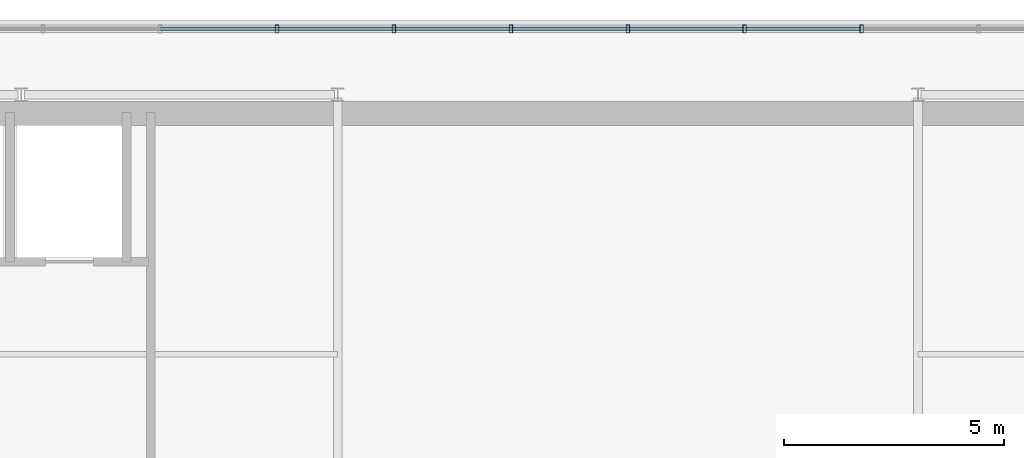
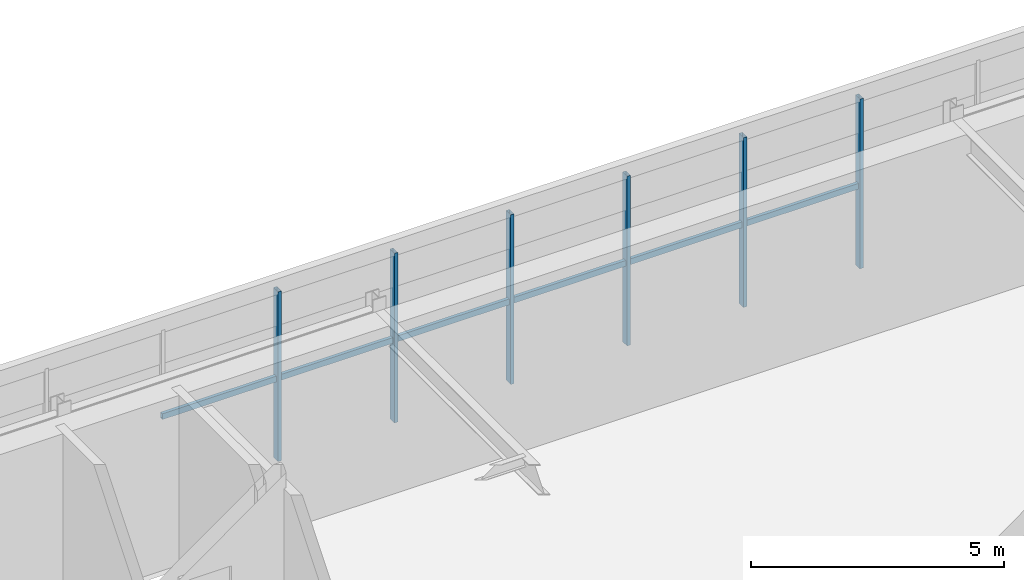
# One storey, part 24 of 37: 12 members, 1 element without a shape of its own.
"""IFC4 building model written with IfcOpenShell, lengths in metres."""

from ifc_helpers import new_model, si_unit, direction, frame, origin, origin_2d, place, context, subcontext, project, spatial, hollow_rectangle, extrude, source, transform, mapped, material, material_profile, profile_set, type_object, element, aggregate, save


model = new_model("IFC4")

# Units and contexts
model_context = context("Model", 3, precision=1e-05, world=origin(), true_north=direction((0.0, 1.0)))
body_context = subcontext(model_context, "Body", "Model", "MODEL_VIEW")
ifc_project = project(units=[si_unit("LENGTHUNIT", "METRE"), si_unit("AREAUNIT", "SQUARE_METRE"), si_unit("VOLUMEUNIT", "CUBIC_METRE"), si_unit("PLANEANGLEUNIT", "RADIAN"), si_unit("MASSUNIT", "GRAM", prefix="KILO")], contexts=[model_context])

# Site, building, storey
site_placement = place(None, origin())
site = spatial("IfcSite", under=ifc_project, at=site_placement, CompositionType="ELEMENT")
building_placement = place(site_placement, origin())
building = spatial("IfcBuilding", under=site, at=building_placement, Name="Trelvane Seafront Commons", CompositionType="ELEMENT")
storey_placement = place(building_placement, frame((0.0, 0.0, 303.5)))
storey = spatial("IfcBuildingStorey", under=building, at=storey_placement, Name="L79", CompositionType="ELEMENT", Elevation=303.5)

# Curtain wall, members
ifc_material = material(Name="Anodised pale-silver aluminium", Category="aluminium")
curtain_wall_type = type_object("IfcCurtainWallType", Name="ARCH-CW6-CROWN", PredefinedType="NOTDEFINED", material=ifc_material)
curtain_wall_placement = place(storey_placement, origin())
curtain_wall = element("IfcCurtainWall", 1, at=curtain_wall_placement, inside=storey, type_object=curtain_wall_type, Name="CW-L79-0129", PredefinedType="NOTDEFINED")
ifc_material_profile_1 = material_profile(ifc_material, hollow_rectangle(XDim=0.074951171875, YDim=0.139892578125, WallThickness=0.00390625, at=origin_2d()), Name="TRAN-75x140x4")
ifc_profile_set_1 = profile_set([ifc_material_profile_1], Name="Anodised pale-silver aluminium")
member_type_1 = type_object("IfcMemberType", Name="ARCH-CW-TRAN-140", PredefinedType="USERDEFINED", material=ifc_profile_set_1)
shared_shape_1 = source(origin(), body_context, "Body", "SweptSolid", [
    extrude(hollow_rectangle(XDim=0.074951171875, YDim=0.139892578125, WallThickness=0.00390625, at=origin_2d()), origin(), (0.0, 0.0, 1.0), 2.635986328125),
])
member_1_placement = place(storey_placement, frame((26.572021484375, 46.60009765625, 1.968017578125), z_axis=(1.0, 0.0, 0.0), x_axis=(0.0, 1.0, 0.0)))
member_1 = element("IfcMember", 2, at=member_1_placement, type_object=member_type_1, Name="CW-L79-0129-T06", ObjectType="TRANSOM", PredefinedType="USERDEFINED", context=body_context, shape_type="MappedRepresentation", body=[
    mapped(shared_shape_1, transform((0.0, 0.0, 0.0), x_axis=(1.0, 0.0, 0.0), y_axis=(0.0, 1.0, 0.0), z_axis=(0.0, 0.0, 1.0), scale=1.0)),
])
member_2_placement = place(storey_placement, frame((29.23193359375, 46.60009765625, 1.968017578125), z_axis=(1.0, 0.0, 0.0), x_axis=(0.0, 1.0, 0.0)))
member_2 = element("IfcMember", 3, at=member_2_placement, type_object=member_type_1, Name="CW-L79-0129-T07", ObjectType="TRANSOM", PredefinedType="USERDEFINED", context=body_context, shape_type="MappedRepresentation", body=[
    mapped(shared_shape_1, transform((0.0, 0.0, 0.0), x_axis=(1.0, 0.0, 0.0), y_axis=(0.0, 1.0, 0.0), z_axis=(0.0, 0.0, 1.0), scale=1.0)),
])
member_3_placement = place(storey_placement, frame((31.89208984375, 46.60009765625, 1.968017578125), z_axis=(1.0, 0.0, 0.0), x_axis=(0.0, 1.0, 0.0)))
member_3 = element("IfcMember", 4, at=member_3_placement, type_object=member_type_1, Name="CW-L79-0129-T08", ObjectType="TRANSOM", PredefinedType="USERDEFINED", context=body_context, shape_type="MappedRepresentation", body=[
    mapped(shared_shape_1, transform((0.0, 0.0, 0.0), x_axis=(1.0, 0.0, 0.0), y_axis=(0.0, 1.0, 0.0), z_axis=(0.0, 0.0, 1.0), scale=1.0)),
])
member_4_placement = place(storey_placement, frame((34.552001953125, 46.60009765625, 1.968017578125), z_axis=(1.0, 0.0, 0.0), x_axis=(0.0, 1.0, 0.0)))
member_4 = element("IfcMember", 5, at=member_4_placement, type_object=member_type_1, Name="CW-L79-0129-T09", ObjectType="TRANSOM", PredefinedType="USERDEFINED", context=body_context, shape_type="MappedRepresentation", body=[
    mapped(shared_shape_1, transform((0.0, 0.0, 0.0), x_axis=(1.0, 0.0, 0.0), y_axis=(0.0, 1.0, 0.0), z_axis=(0.0, 0.0, 1.0), scale=1.0)),
])
member_5_placement = place(storey_placement, frame((37.2119140625, 46.60009765625, 1.968017578125), z_axis=(1.0, 0.0, 0.0), x_axis=(0.0, 1.0, 0.0)))
member_5 = element("IfcMember", 6, at=member_5_placement, type_object=member_type_1, Name="CW-L79-0129-T10", ObjectType="TRANSOM", PredefinedType="USERDEFINED", context=body_context, shape_type="MappedRepresentation", body=[
    mapped(shared_shape_1, transform((0.0, 0.0, 0.0), x_axis=(1.0, 0.0, 0.0), y_axis=(0.0, 1.0, 0.0), z_axis=(0.0, 0.0, 1.0), scale=1.0)),
])
member_6_placement = place(storey_placement, frame((39.8720703125, 46.60009765625, 1.968017578125), z_axis=(1.0, 0.0, 0.0), x_axis=(0.0, 1.0, 0.0)))
member_6 = element("IfcMember", 7, at=member_6_placement, type_object=member_type_1, Name="CW-L79-0129-T11", ObjectType="TRANSOM", PredefinedType="USERDEFINED", context=body_context, shape_type="MappedRepresentation", body=[
    mapped(shared_shape_1, transform((0.0, 0.0, 0.0), x_axis=(1.0, 0.0, 0.0), y_axis=(0.0, 1.0, 0.0), z_axis=(0.0, 0.0, 1.0), scale=1.0)),
])
ifc_material_profile_2 = material_profile(ifc_material, hollow_rectangle(XDim=0.080078125, YDim=0.179931640625, WallThickness=0.00439453125, at=origin_2d()), Name="MULL-80x180x4.5")
ifc_profile_set_2 = profile_set([ifc_material_profile_2], Name="Anodised pale-silver aluminium")
member_type_2 = type_object("IfcMemberType", Name="ARCH-CW-MULL-180", PredefinedType="MULLION", material=ifc_profile_set_2)
shared_shape_2 = source(origin(), body_context, "Body", "SweptSolid", [
    extrude(hollow_rectangle(XDim=0.080078125, YDim=0.179931640625, WallThickness=0.00439453125, at=origin_2d()), origin(), (0.0, 0.0, 1.0), 4.10009765625),
])
member_7_placement = place(storey_placement, frame((29.219970703125, 46.60009765625, 0.0), z_axis=(0.0, 0.0, 1.0), x_axis=(1.0, 0.0, 0.0)))
member_7 = element("IfcMember", 8, at=member_7_placement, type_object=member_type_2, Name="CW-L79-0129-M07", PredefinedType="MULLION", context=body_context, shape_type="MappedRepresentation", body=[
    mapped(shared_shape_2, transform((0.0, 0.0, 0.0), x_axis=(1.0, 0.0, 0.0), y_axis=(0.0, 1.0, 0.0), z_axis=(0.0, 0.0, 1.0), scale=1.0)),
])
member_8_placement = place(storey_placement, frame((31.8798828125, 46.60009765625, 0.0), z_axis=(0.0, 0.0, 1.0), x_axis=(1.0, 0.0, 0.0)))
member_8 = element("IfcMember", 9, at=member_8_placement, type_object=member_type_2, Name="CW-L79-0129-M08", PredefinedType="MULLION", context=body_context, shape_type="MappedRepresentation", body=[
    mapped(shared_shape_2, transform((0.0, 0.0, 0.0), x_axis=(1.0, 0.0, 0.0), y_axis=(0.0, 1.0, 0.0), z_axis=(0.0, 0.0, 1.0), scale=1.0)),
])
member_9_placement = place(storey_placement, frame((34.5400390625, 46.60009765625, 0.0), z_axis=(0.0, 0.0, 1.0), x_axis=(1.0, 0.0, 0.0)))
member_9 = element("IfcMember", 10, at=member_9_placement, type_object=member_type_2, Name="CW-L79-0129-M09", PredefinedType="MULLION", context=body_context, shape_type="MappedRepresentation", body=[
    mapped(shared_shape_2, transform((0.0, 0.0, 0.0), x_axis=(1.0, 0.0, 0.0), y_axis=(0.0, 1.0, 0.0), z_axis=(0.0, 0.0, 1.0), scale=1.0)),
])
member_10_placement = place(storey_placement, frame((37.199951171875, 46.60009765625, 0.0), z_axis=(0.0, 0.0, 1.0), x_axis=(1.0, 0.0, 0.0)))
member_10 = element("IfcMember", 11, at=member_10_placement, type_object=member_type_2, Name="CW-L79-0129-M10", PredefinedType="MULLION", context=body_context, shape_type="MappedRepresentation", body=[
    mapped(shared_shape_2, transform((0.0, 0.0, 0.0), x_axis=(1.0, 0.0, 0.0), y_axis=(0.0, 1.0, 0.0), z_axis=(0.0, 0.0, 1.0), scale=1.0)),
])
member_11_placement = place(storey_placement, frame((39.860107421875, 46.60009765625, 0.0), z_axis=(0.0, 0.0, 1.0), x_axis=(1.0, 0.0, 0.0)))
member_11 = element("IfcMember", 12, at=member_11_placement, type_object=member_type_2, Name="CW-L79-0129-M11", PredefinedType="MULLION", context=body_context, shape_type="MappedRepresentation", body=[
    mapped(shared_shape_2, transform((0.0, 0.0, 0.0), x_axis=(1.0, 0.0, 0.0), y_axis=(0.0, 1.0, 0.0), z_axis=(0.0, 0.0, 1.0), scale=1.0)),
])
member_12_placement = place(storey_placement, frame((42.52001953125, 46.60009765625, 0.0), z_axis=(0.0, 0.0, 1.0), x_axis=(1.0, 0.0, 0.0)))
member_12 = element("IfcMember", 13, at=member_12_placement, type_object=member_type_2, Name="CW-L79-0129-M12", PredefinedType="MULLION", context=body_context, shape_type="MappedRepresentation", body=[
    mapped(shared_shape_2, transform((0.0, 0.0, 0.0), x_axis=(1.0, 0.0, 0.0), y_axis=(0.0, 1.0, 0.0), z_axis=(0.0, 0.0, 1.0), scale=1.0)),
])
aggregate(curtain_wall, [member_7, member_8, member_9, member_10, member_11, member_12, member_1, member_2, member_3, member_4, member_5, member_6])

save(model, "model.ifc")
